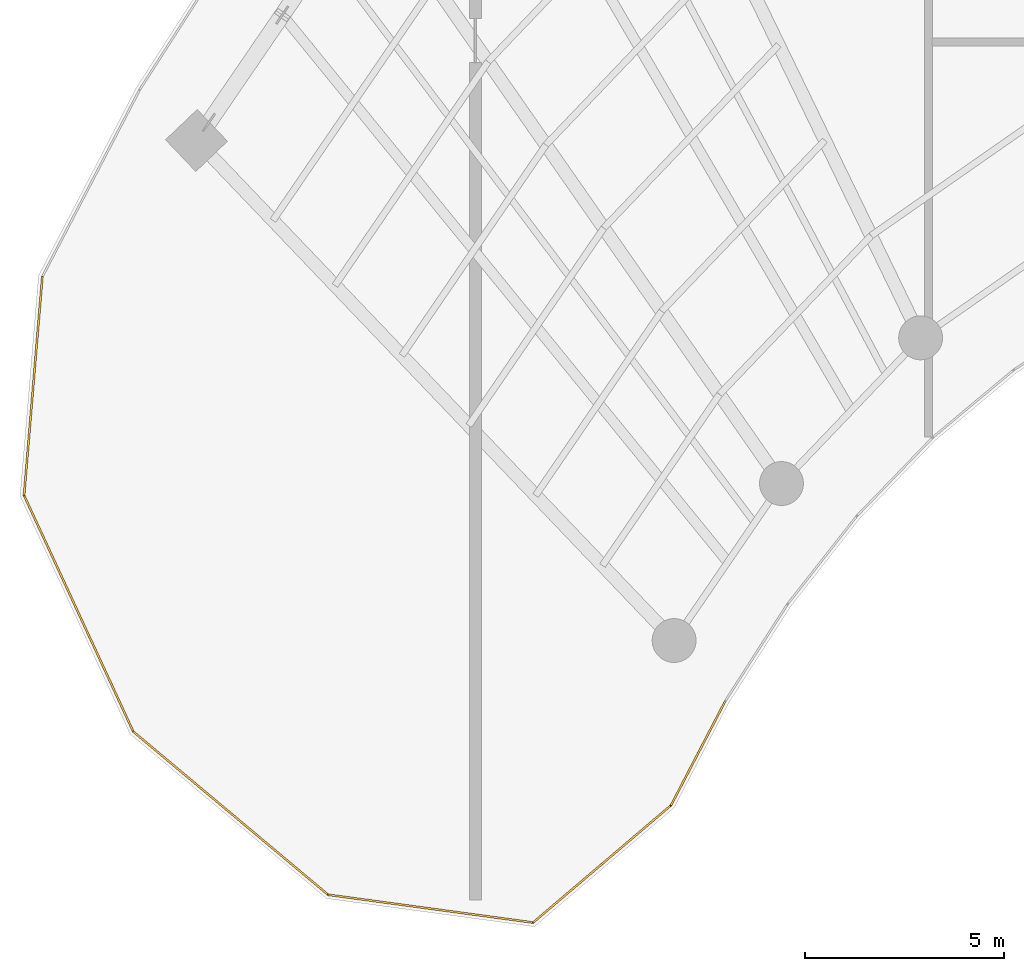
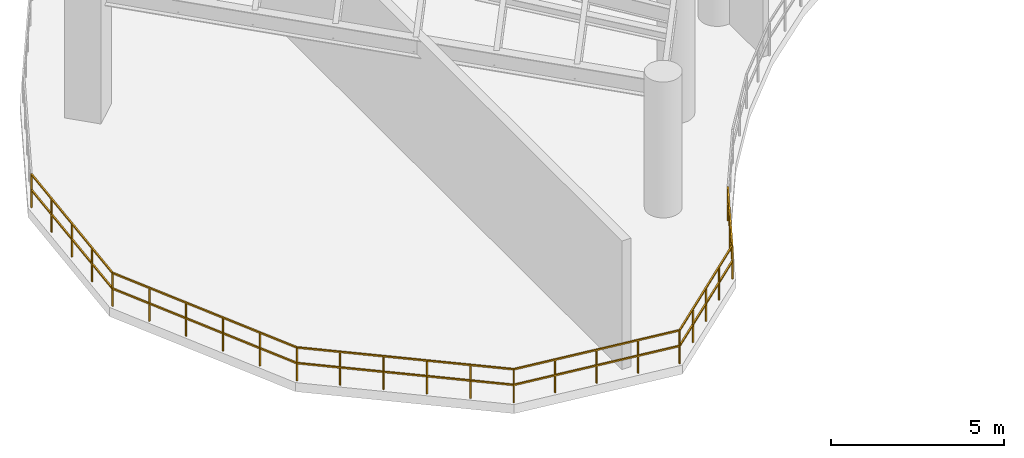
# One storey, part 10 of 19: 6 railings.
"""IFC4 building model written with IfcOpenShell, lengths in metres."""

from ifc_helpers import new_model, si_unit, direction, frame, origin, origin_2d, place, context, subcontext, project, spatial, rectangle, extrude, material, type_object, element, save


model = new_model("IFC4")

# Units and contexts
model_context = context("Model", 3, precision=1e-05, world=origin(), true_north=direction((0.0, 1.0)))
body_context = subcontext(model_context, "Body", "Model", "MODEL_VIEW")
ifc_project = project(units=[si_unit("LENGTHUNIT", "METRE"), si_unit("AREAUNIT", "SQUARE_METRE"), si_unit("VOLUMEUNIT", "CUBIC_METRE"), si_unit("PLANEANGLEUNIT", "RADIAN"), si_unit("MASSUNIT", "GRAM", prefix="KILO")], contexts=[model_context])

# Site, building, storey
site_placement = place(None, origin())
site = spatial("IfcSite", under=ifc_project, at=site_placement, CompositionType="ELEMENT")
building_placement = place(site_placement, origin())
building = spatial("IfcBuilding", under=site, at=building_placement, Name="Breltana Convention Tower", CompositionType="ELEMENT")
storey_placement = place(building_placement, frame((0.0, 0.0, 194.39990234375)))
storey = spatial("IfcBuildingStorey", under=building, at=storey_placement, Name="L47", CompositionType="ELEMENT", Elevation=194.39990234375)

# Railings
ifc_material = material(Name="Stainless Steel 316L", Category="steel")
railing_type = type_object("IfcRailingType", Name="RL-WIND-GUARD-1200", PredefinedType="BALUSTRADE", material=ifc_material)
railing_1_placement = place(storey_placement, frame((29.263671875, 41.4287109375, 0.0)))
element("IfcRailing", 1, at=railing_1_placement, inside=storey, type_object=railing_type, Name="L47 perimeter balustrade 44", PredefinedType="BALUSTRADE", context=body_context, shape_type="SweptSolid", body=[
    extrude(rectangle(XDim=0.048095703125, YDim=0.048095703125, at=origin_2d()), frame((0.0, 0.0, 1.17578125), z_axis=(-0.461773777633, -0.886997732968, 0.0), x_axis=(0.886997732968, -0.461773777633, 0.0)), (0.0, 0.0, 1.0), 2.93896484375),
    extrude(rectangle(XDim=0.048095703125, YDim=0.048095703125, at=origin_2d()), frame((0.0, 0.0, 0.6240234375), z_axis=(-0.461773777633, -0.886997732968, 0.0), x_axis=(0.886997732968, -0.461773777633, 0.0)), (0.0, 0.0, 1.0), 2.93896484375),
    extrude(rectangle(XDim=0.0419921875, YDim=0.0419921875, at=origin_2d()), origin(), (0.0, 0.0, 1.0), 1.15185546875),
    extrude(rectangle(XDim=0.0419921875, YDim=0.0419921875, at=origin_2d()), frame((-0.6787109375, -1.303466796875, 0.0)), (0.0, 0.0, 1.0), 1.15185546875),
    extrude(rectangle(XDim=0.0419921875, YDim=0.0419921875, at=origin_2d()), frame((-1.357177734375, -2.60693359375, 0.0)), (0.0, 0.0, 1.0), 1.15185546875),
])
railing_2_placement = place(storey_placement, frame((27.906494140625, 38.82177734375, 0.0)))
element("IfcRailing", 2, at=railing_2_placement, inside=storey, type_object=railing_type, Name="L47 perimeter balustrade 45", PredefinedType="BALUSTRADE", context=body_context, shape_type="SweptSolid", body=[
    extrude(rectangle(XDim=0.048095703125, YDim=0.048095703125, at=origin_2d()), frame((0.0, 0.0, 1.17578125), z_axis=(-0.761888889081, -0.647707743273, 0.0), x_axis=(0.647707743273, -0.761888889081, 0.0)), (0.0, 0.0, 1.0), 4.539306640625),
    extrude(rectangle(XDim=0.048095703125, YDim=0.048095703125, at=origin_2d()), frame((0.0, 0.0, 0.6240234375), z_axis=(-0.761888889081, -0.647707743273, 0.0), x_axis=(0.647707743273, -0.761888889081, 0.0)), (0.0, 0.0, 1.0), 4.539306640625),
    extrude(rectangle(XDim=0.0419921875, YDim=0.0419921875, at=origin_2d()), origin(), (0.0, 0.0, 1.0), 1.15185546875),
    extrude(rectangle(XDim=0.0419921875, YDim=0.0419921875, at=origin_2d()), frame((-0.86474609375, -0.735107421875, 0.0)), (0.0, 0.0, 1.0), 1.15185546875),
    extrude(rectangle(XDim=0.0419921875, YDim=0.0419921875, at=origin_2d()), frame((-1.729248046875, -1.47021484375, 0.0)), (0.0, 0.0, 1.0), 1.15185546875),
    extrude(rectangle(XDim=0.0419921875, YDim=0.0419921875, at=origin_2d()), frame((-2.59375, -2.205078125, 0.0)), (0.0, 0.0, 1.0), 1.15185546875),
    extrude(rectangle(XDim=0.0419921875, YDim=0.0419921875, at=origin_2d()), frame((-3.45849609375, -2.940185546875, 0.0)), (0.0, 0.0, 1.0), 1.15185546875),
])
railing_3_placement = place(storey_placement, frame((24.447998046875, 35.881591796875, 0.0)))
element("IfcRailing", 3, at=railing_3_placement, inside=storey, type_object=railing_type, Name="L47 perimeter balustrade 46", PredefinedType="BALUSTRADE", context=body_context, shape_type="SweptSolid", body=[
    extrude(rectangle(XDim=0.048095703125, YDim=0.048095703125, at=origin_2d()), frame((0.0, 0.0, 1.17578125), z_axis=(-0.990929007422, 0.134386391611, 0.0), x_axis=(-0.134386391611, -0.990929007422, 0.0)), (0.0, 0.0, 1.0), 5.186767578125),
    extrude(rectangle(XDim=0.048095703125, YDim=0.048095703125, at=origin_2d()), frame((0.0, 0.0, 0.6240234375), z_axis=(-0.990929007422, 0.134386391611, 0.0), x_axis=(-0.134386391611, -0.990929007422, 0.0)), (0.0, 0.0, 1.0), 5.186767578125),
    extrude(rectangle(XDim=0.0419921875, YDim=0.0419921875, at=origin_2d()), origin(), (0.0, 0.0, 1.0), 1.15185546875),
    extrude(rectangle(XDim=0.0419921875, YDim=0.0419921875, at=origin_2d()), frame((-1.284912109375, 0.17431640625, 0.0)), (0.0, 0.0, 1.0), 1.15185546875),
    extrude(rectangle(XDim=0.0419921875, YDim=0.0419921875, at=origin_2d()), frame((-2.56982421875, 0.3486328125, 0.0)), (0.0, 0.0, 1.0), 1.15185546875),
    extrude(rectangle(XDim=0.0419921875, YDim=0.0419921875, at=origin_2d()), frame((-3.854736328125, 0.522705078125, 0.0)), (0.0, 0.0, 1.0), 1.15185546875),
    extrude(rectangle(XDim=0.0419921875, YDim=0.0419921875, at=origin_2d()), frame((-5.1396484375, 0.697021484375, 0.0)), (0.0, 0.0, 1.0), 1.15185546875),
])
railing_4_placement = place(storey_placement, frame((19.308349609375, 36.57861328125, 0.0)))
element("IfcRailing", 4, at=railing_4_placement, inside=storey, type_object=railing_type, Name="L47 perimeter balustrade 47", PredefinedType="BALUSTRADE", context=body_context, shape_type="SweptSolid", body=[
    extrude(rectangle(XDim=0.048095703125, YDim=0.048095703125, at=origin_2d()), frame((0.0, 0.0, 1.17578125), z_axis=(-0.766721722437, 0.641979594959, 0.0), x_axis=(-0.641979594959, -0.766721722437, 0.0)), (0.0, 0.0, 1.0), 6.37451171875),
    extrude(rectangle(XDim=0.048095703125, YDim=0.048095703125, at=origin_2d()), frame((0.0, 0.0, 0.6240234375), z_axis=(-0.766721722437, 0.641979594959, 0.0), x_axis=(-0.641979594959, -0.766721722437, 0.0)), (0.0, 0.0, 1.0), 6.37451171875),
    extrude(rectangle(XDim=0.0419921875, YDim=0.0419921875, at=origin_2d()), origin(), (0.0, 0.0, 1.0), 1.15185546875),
    extrude(rectangle(XDim=0.0419921875, YDim=0.0419921875, at=origin_2d()), frame((-0.9775390625, 0.818359375, 0.0)), (0.0, 0.0, 1.0), 1.15185546875),
    extrude(rectangle(XDim=0.0419921875, YDim=0.0419921875, at=origin_2d()), frame((-1.955078125, 1.636962890625, 0.0)), (0.0, 0.0, 1.0), 1.15185546875),
    extrude(rectangle(XDim=0.0419921875, YDim=0.0419921875, at=origin_2d()), frame((-2.932373046875, 2.455322265625, 0.0)), (0.0, 0.0, 1.0), 1.15185546875),
    extrude(rectangle(XDim=0.0419921875, YDim=0.0419921875, at=origin_2d()), frame((-3.909912109375, 3.27392578125, 0.0)), (0.0, 0.0, 1.0), 1.15185546875),
    extrude(rectangle(XDim=0.0419921875, YDim=0.0419921875, at=origin_2d()), frame((-4.887451171875, 4.09228515625, 0.0)), (0.0, 0.0, 1.0), 1.15185546875),
])
railing_5_placement = place(storey_placement, frame((14.4208984375, 40.6708984375, 0.0)))
element("IfcRailing", 5, at=railing_5_placement, inside=storey, type_object=railing_type, Name="L47 perimeter balustrade 48", PredefinedType="BALUSTRADE", context=body_context, shape_type="SweptSolid", body=[
    extrude(rectangle(XDim=0.048095703125, YDim=0.048095703125, at=origin_2d()), frame((0.0, 0.0, 1.17578125), z_axis=(-0.419620331812, 0.907699717489, 0.0), x_axis=(-0.907699717489, -0.419620331812, 0.0)), (0.0, 0.0, 1.0), 6.526123046875),
    extrude(rectangle(XDim=0.048095703125, YDim=0.048095703125, at=origin_2d()), frame((0.0, 0.0, 0.6240234375), z_axis=(-0.419620331812, 0.907699717489, 0.0), x_axis=(-0.907699717489, -0.419620331812, 0.0)), (0.0, 0.0, 1.0), 6.526123046875),
    extrude(rectangle(XDim=0.0419921875, YDim=0.0419921875, at=origin_2d()), origin(), (0.0, 0.0, 1.0), 1.15185546875),
    extrude(rectangle(XDim=0.0419921875, YDim=0.0419921875, at=origin_2d()), frame((-0.547607421875, 1.184814453125, 0.0)), (0.0, 0.0, 1.0), 1.15185546875),
    extrude(rectangle(XDim=0.0419921875, YDim=0.0419921875, at=origin_2d()), frame((-1.095458984375, 2.36962890625, 0.0)), (0.0, 0.0, 1.0), 1.15185546875),
    extrude(rectangle(XDim=0.0419921875, YDim=0.0419921875, at=origin_2d()), frame((-1.64306640625, 3.55419921875, 0.0)), (0.0, 0.0, 1.0), 1.15185546875),
    extrude(rectangle(XDim=0.0419921875, YDim=0.0419921875, at=origin_2d()), frame((-2.19091796875, 4.739013671875, 0.0)), (0.0, 0.0, 1.0), 1.15185546875),
    extrude(rectangle(XDim=0.0419921875, YDim=0.0419921875, at=origin_2d()), frame((-2.738525390625, 5.923828125, 0.0)), (0.0, 0.0, 1.0), 1.15185546875),
])
railing_6_placement = place(storey_placement, frame((11.682373046875, 46.5947265625, 0.0)))
element("IfcRailing", 6, at=railing_6_placement, inside=storey, type_object=railing_type, Name="L47 perimeter balustrade 49", PredefinedType="BALUSTRADE", context=body_context, shape_type="SweptSolid", body=[
    extrude(rectangle(XDim=0.048095703125, YDim=0.048095703125, at=origin_2d()), frame((0.0, 0.0, 1.17578125), z_axis=(0.08330244177, 0.996524311392, 0.0), x_axis=(-0.996524311392, 0.08330244177, 0.0)), (0.0, 0.0, 1.0), 5.50390625),
    extrude(rectangle(XDim=0.048095703125, YDim=0.048095703125, at=origin_2d()), frame((0.0, 0.0, 0.6240234375), z_axis=(0.08330244177, 0.996524311392, 0.0), x_axis=(-0.996524311392, 0.08330244177, 0.0)), (0.0, 0.0, 1.0), 5.50390625),
    extrude(rectangle(XDim=0.0419921875, YDim=0.0419921875, at=origin_2d()), origin(), (0.0, 0.0, 1.0), 1.15185546875),
    extrude(rectangle(XDim=0.0419921875, YDim=0.0419921875, at=origin_2d()), frame((0.11474609375, 1.37109375, 0.0)), (0.0, 0.0, 1.0), 1.15185546875),
    extrude(rectangle(XDim=0.0419921875, YDim=0.0419921875, at=origin_2d()), frame((0.229248046875, 2.742431640625, 0.0)), (0.0, 0.0, 1.0), 1.15185546875),
    extrude(rectangle(XDim=0.0419921875, YDim=0.0419921875, at=origin_2d()), frame((0.34375, 4.11376953125, 0.0)), (0.0, 0.0, 1.0), 1.15185546875),
    extrude(rectangle(XDim=0.0419921875, YDim=0.0419921875, at=origin_2d()), frame((0.45849609375, 5.48486328125, 0.0)), (0.0, 0.0, 1.0), 1.15185546875),
])

save(model, "model.ifc")
